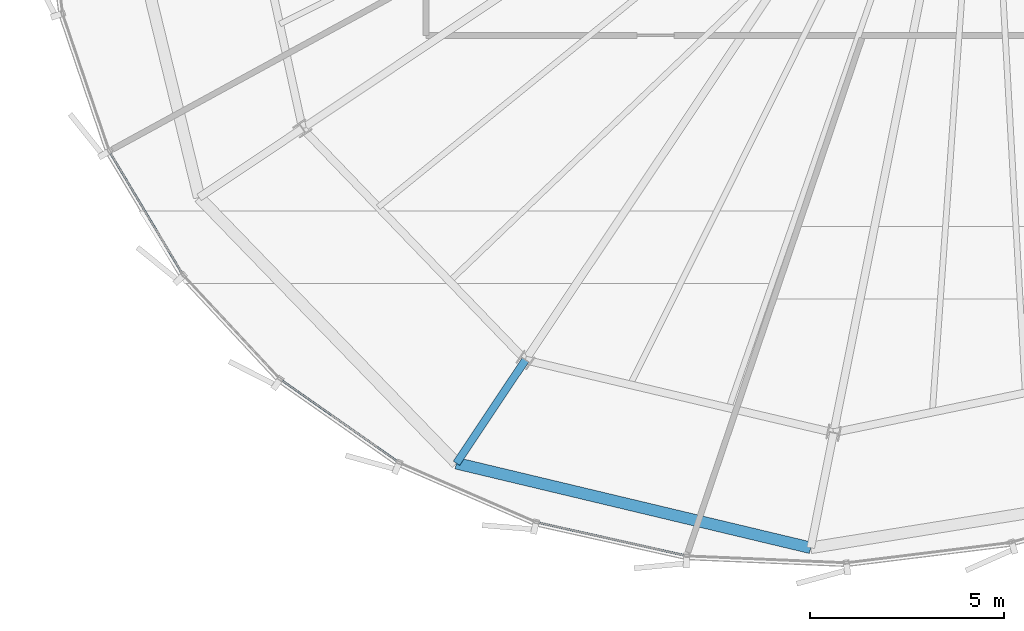
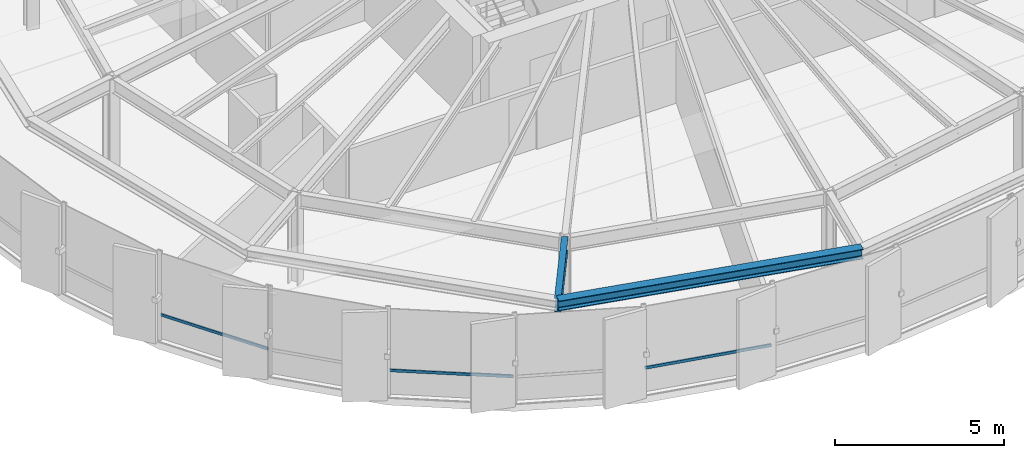
# One storey, part 3 of 34: 3 members, 2 beams, 2 elements without a shape of their own.
"""IFC4 building model written with IfcOpenShell, lengths in metres."""

from ifc_helpers import new_model, si_unit, direction, frame, origin, origin_2d, place, context, subcontext, project, spatial, hollow_rectangle, i_section, extrude, source, transform, mapped, material, layer, layer_set, material_profile, profile_set, type_object, element, aggregate, save


model = new_model("IFC4")

# Units and contexts
model_context = context("Model", 3, precision=1e-05, world=origin(), true_north=direction((0.0, 1.0)))
body_context = subcontext(model_context, "Body", "Model", "MODEL_VIEW")
ifc_project = project(units=[si_unit("LENGTHUNIT", "METRE"), si_unit("AREAUNIT", "SQUARE_METRE"), si_unit("VOLUMEUNIT", "CUBIC_METRE"), si_unit("PLANEANGLEUNIT", "RADIAN"), si_unit("MASSUNIT", "GRAM", prefix="KILO"), si_unit("THERMODYNAMICTEMPERATUREUNIT", "KELVIN")], contexts=[model_context])

# Site, building, storey
site_placement = place(None, origin())
site = spatial("IfcSite", under=ifc_project, at=site_placement, CompositionType="ELEMENT")
building_placement = place(site_placement, origin())
building = spatial("IfcBuilding", under=site, at=building_placement, Name="Kethvar Cultural Tower", CompositionType="ELEMENT")
storey_placement = place(building_placement, frame((0.0, 0.0, 183.39990234375)))
storey = spatial("IfcBuildingStorey", under=building, at=storey_placement, Name="L47", CompositionType="ELEMENT", Elevation=183.39990234375)

# Beams
ifc_material_1 = material(Name="Steel S355J2", Category="steel")
ifc_material_profile_1 = material_profile(ifc_material_1, i_section(OverallWidth=0.199951171875, OverallDepth=0.5, WebThickness=0.01025390625, FlangeThickness=0.01611328125, FilletRadius=0.02099609375, at=origin_2d()), Name="Steel S355J2 — IPE500")
ifc_profile_set_1 = profile_set([ifc_material_profile_1], Name="Steel S355J2 — IPE500")
beam_type_1 = type_object("IfcBeamType", Name="BM-IPE500", PredefinedType="BEAM", material=ifc_profile_set_1)
shared_shape_1 = source(origin(), body_context, "Body", "SweptSolid", [
    extrude(i_section(OverallWidth=0.199951171875, OverallDepth=0.5, WebThickness=0.01025390625, FlangeThickness=0.01611328125, FilletRadius=0.02099609375, at=origin_2d()), origin(), (0.0, 0.0, 1.0), 3.199951171875),
])
beam_1_placement = place(storey_placement, frame((34.962646484375, 10.084228515625, 3.008056640625), z_axis=(-0.555580212716, -0.831462943996, 0.0), x_axis=(0.831462943996, -0.555580212716, 0.0)))
element("IfcBeam", 1, at=beam_1_placement, inside=storey, type_object=beam_type_1, Name="L47 Perimeter Cantilever Beam RC-11", PredefinedType="BEAM", context=body_context, shape_type="MappedRepresentation", body=[
    mapped(shared_shape_1, transform((0.0, 0.0, 0.0), scale=1.0)),
])
ifc_material_profile_2 = material_profile(ifc_material_1, i_section(OverallWidth=0.300048828125, OverallDepth=0.360107421875, WebThickness=0.012451171875, FlangeThickness=0.0224609375, FilletRadius=0.027099609375, at=origin_2d()), Name="Steel S355J2 — HEB360")
ifc_profile_set_2 = profile_set([ifc_material_profile_2], Name="Steel S355J2 — HEB360")
beam_type_2 = type_object("IfcBeamType", Name="BM-SP360", PredefinedType="SPANDREL", material=ifc_profile_set_2)
shared_shape_2 = source(origin(), body_context, "Body", "SweptSolid", [
    extrude(i_section(OverallWidth=0.300048828125, OverallDepth=0.360107421875, WebThickness=0.012451171875, FlangeThickness=0.0224609375, FilletRadius=0.027099609375, at=origin_2d()), origin(), (0.0, 0.0, 1.0), 9.38525390625),
])
beam_2_placement = place(storey_placement, frame((33.184814453125, 7.423583984375, 3.078125), z_axis=(0.972688023806, -0.232116368111, 0.0), x_axis=(0.232116368111, 0.972688023806, 0.0)))
element("IfcBeam", 2, at=beam_2_placement, inside=storey, type_object=beam_type_2, Name="L47 Perimeter Spandrel Beam SP-11", PredefinedType="SPANDREL", context=body_context, shape_type="MappedRepresentation", body=[
    mapped(shared_shape_2, transform((0.0, 0.0, 0.0), scale=1.0)),
])

# Curtain wall, member
ifc_material_2 = material(Name="Aluminium 6063-T6", Category="aluminium")
ifc_layer = layer(ifc_material_2, 0.179931640625, Name="Aluminium 6063-T6", Category="aluminium")
ifc_layer_set = layer_set([ifc_layer], Name="Aluminium 6063-T6 (180 mm)")
curtain_wall_type = type_object("IfcCurtainWallType", Name="CW-SYS-04-Z34", PredefinedType="NOTDEFINED", material=ifc_layer_set)
curtain_wall_1_placement = place(storey_placement, origin())
curtain_wall_1 = element("IfcCurtainWall", 3, at=curtain_wall_1_placement, inside=storey, type_object=curtain_wall_type, Name="L47 Curtain Wall Run 03", PredefinedType="NOTDEFINED")
ifc_material_profile_3 = material_profile(ifc_material_2, hollow_rectangle(XDim=0.050048828125, YDim=0.10009765625, WallThickness=0.00390625, at=origin_2d()), Name="Aluminium 6063-T6 — RHS100x50x4")
ifc_profile_set_3 = profile_set([ifc_material_profile_3], Name="Aluminium 6063-T6 — RHS100x50x4")
member_type = type_object("IfcMemberType", Name="CW-SYS-04-Z34-TRN", PredefinedType="USERDEFINED", material=ifc_profile_set_3)
shared_shape_3 = source(origin(), body_context, "Body", "SweptSolid", [
    extrude(hollow_rectangle(XDim=0.050048828125, YDim=0.10009765625, WallThickness=0.00390625, at=origin_2d()), origin(), (0.0, 0.0, 1.0), 3.629150390625),
])
member_1_placement = place(storey_placement, frame((24.260009765625, 15.427978515625, 0.9501953125), z_axis=(0.512159035249, -0.858890634838, 0.0), x_axis=(0.858890634838, 0.512159035249, 0.0)))
member_1 = element("IfcMember", 4, at=member_1_placement, type_object=member_type, Name="CW-L47-R03 Transom 6", ObjectType="TRANSOM", PredefinedType="USERDEFINED", context=body_context, shape_type="MappedRepresentation", body=[
    mapped(shared_shape_3, transform((0.0, 0.0, 0.0), scale=1.0)),
])
aggregate(curtain_wall_1, [member_1])

# Curtain wall, members
curtain_wall_2_placement = place(storey_placement, origin())
curtain_wall_2 = element("IfcCurtainWall", 5, at=curtain_wall_2_placement, inside=storey, type_object=curtain_wall_type, Name="L47 Curtain Wall Run 04", PredefinedType="NOTDEFINED")
shared_shape_4 = source(origin(), body_context, "Body", "SweptSolid", [
    extrude(hollow_rectangle(XDim=0.050048828125, YDim=0.10009765625, WallThickness=0.00390625, at=origin_2d()), origin(), (0.0, 0.0, 1.0), 3.682373046875),
])
member_2_placement = place(storey_placement, frame((28.67822265625, 9.5654296875, 0.9501953125), z_axis=(0.819154042171, -0.573573583069, 0.0), x_axis=(0.573573583069, 0.819154042171, 0.0)))
member_2 = element("IfcMember", 6, at=member_2_placement, type_object=member_type, Name="CW-L47-R04 Transom 2", ObjectType="TRANSOM", PredefinedType="USERDEFINED", context=body_context, shape_type="MappedRepresentation", body=[
    mapped(shared_shape_4, transform((0.0, 0.0, 0.0), scale=1.0)),
])
shared_shape_5 = source(origin(), body_context, "Body", "SweptSolid", [
    extrude(hollow_rectangle(XDim=0.050048828125, YDim=0.10009765625, WallThickness=0.00390625, at=origin_2d()), origin(), (0.0, 0.0, 1.0), 3.908447265625),
])
member_3_placement = place(storey_placement, frame((35.280029296875, 5.896484375, 0.9501953125), z_axis=(0.975935079936, -0.218061275221, 0.0), x_axis=(0.218061275221, 0.975935079936, 0.0)))
member_3 = element("IfcMember", 7, at=member_3_placement, type_object=member_type, Name="CW-L47-R04 Transom 4", ObjectType="TRANSOM", PredefinedType="USERDEFINED", context=body_context, shape_type="MappedRepresentation", body=[
    mapped(shared_shape_5, transform((0.0, 0.0, 0.0), scale=1.0)),
])
aggregate(curtain_wall_2, [member_2, member_3])

save(model, "model.ifc")
